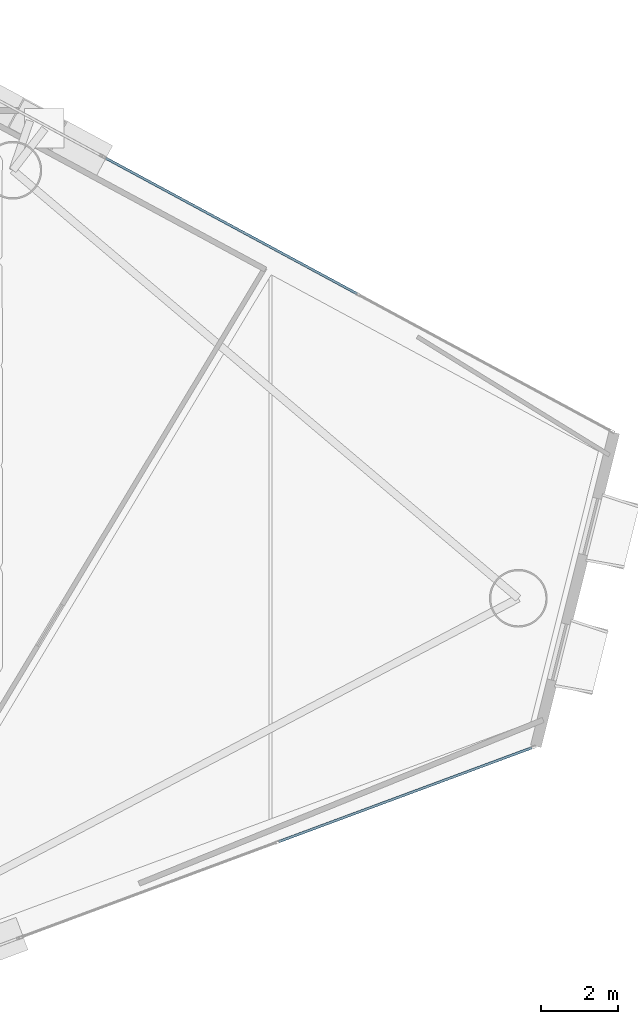
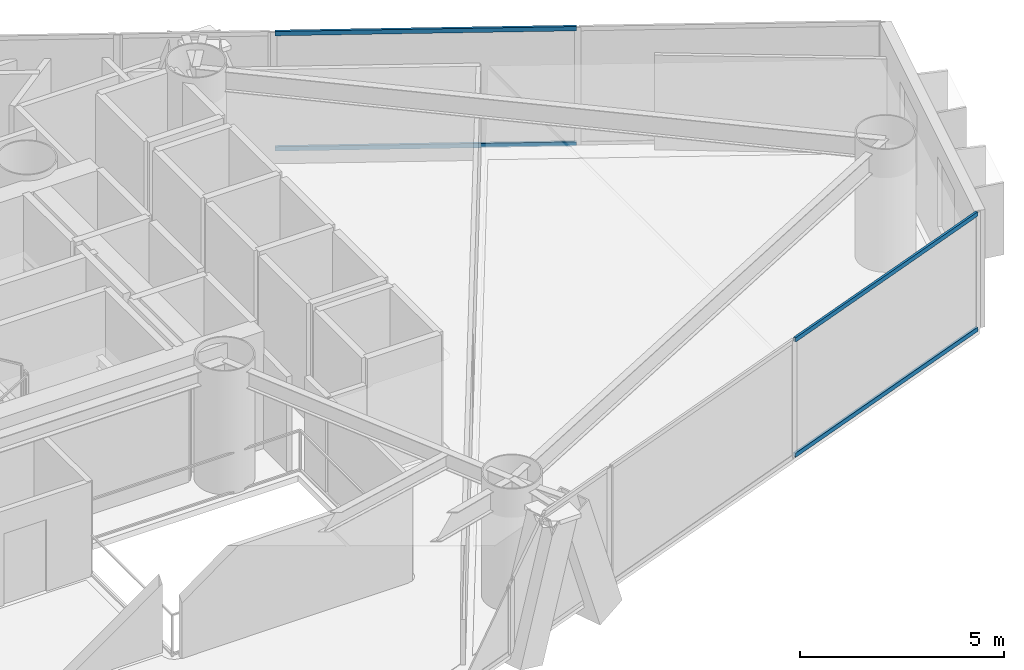
# One storey, part 12 of 21: 4 members, 2 elements without a shape of their own.
"""IFC4 building model written with IfcOpenShell, lengths in metres."""

from ifc_helpers import new_model, si_unit, direction, frame, origin, origin_2d, place, context, subcontext, project, spatial, hollow_rectangle, extrude, material, layer, layer_set, material_profile, profile_set, type_object, element, aggregate, save


model = new_model("IFC4")

# Units and contexts
model_context = context("Model", 3, precision=1e-05, world=origin(), true_north=direction((0.0, 1.0)))
body_context = subcontext(model_context, "Body", "Model", "MODEL_VIEW")
ifc_project = project(units=[si_unit("LENGTHUNIT", "METRE"), si_unit("AREAUNIT", "SQUARE_METRE"), si_unit("VOLUMEUNIT", "CUBIC_METRE"), si_unit("PLANEANGLEUNIT", "RADIAN"), si_unit("MASSUNIT", "GRAM", prefix="KILO")], contexts=[model_context])

# Site, building, storey
site_placement = place(None, origin())
site = spatial("IfcSite", under=ifc_project, at=site_placement, CompositionType="ELEMENT")
building_placement = place(site_placement, origin())
building = spatial("IfcBuilding", under=site, at=building_placement, Name="Qianvela Tower", CompositionType="ELEMENT")
storey_placement = place(building_placement, frame((0.0, 0.0, 127.39990234375)))
storey = spatial("IfcBuildingStorey", under=building, at=storey_placement, Name="L32", CompositionType="ELEMENT", Elevation=127.39990234375)

# Curtain wall, members
ifc_material_1 = material(Name="Anodised Architectural Aluminium and Low-E Glass", Category="aluminium")
ifc_layer = layer(ifc_material_1, 0.169921875)
ifc_layer_set = layer_set([ifc_layer], Name="Anodised Architectural Aluminium and Low-E Glass")
curtain_wall_type = type_object("IfcCurtainWallType", Name="CW-COLIV-Z34", PredefinedType="USERDEFINED", material=ifc_layer_set)
curtain_wall_1_placement = place(storey_placement, origin())
curtain_wall_1 = element("IfcCurtainWall", 1, at=curtain_wall_1_placement, inside=storey, type_object=curtain_wall_type, Name="L32 CW-COLIV-Z34 Curtain Wall 02A", ObjectType="CURTAIN_WALL_SYSTEM", PredefinedType="USERDEFINED")
ifc_material_2 = material(Name="Anodised Architectural Aluminium 6063-T6", Category="aluminium")
ifc_material_profile = material_profile(ifc_material_2, hollow_rectangle(XDim=0.06494140625, YDim=0.1298828125, WallThickness=0.00439453125, at=origin_2d()), Name="ALU-TRAN-65x130")
ifc_profile_set = profile_set([ifc_material_profile], Name="Anodised Architectural Aluminium 6063-T6")
member_type = type_object("IfcMemberType", Name="CW-COLIV-Z34-TRAN", PredefinedType="USERDEFINED", material=ifc_profile_set)
member_1_placement = place(storey_placement, frame((53.0078125, 31.86376953125, 0.03271484375), z_axis=(-0.880036822101, 0.474905455588, 0.0), x_axis=(-0.474905455588, -0.880036822101, 0.0)))
member_1 = element("IfcMember", 2, at=member_1_placement, type_object=member_type, Name="CW-4 transom 2.1", ObjectType="TRANSOM", PredefinedType="USERDEFINED", context=body_context, shape_type="SweptSolid", body=[
    extrude(hollow_rectangle(XDim=0.06494140625, YDim=0.1298828125, WallThickness=0.00439453125, at=origin_2d()), origin(), (0.0, 0.0, 1.0), 7.407470703125),
])
member_2_placement = place(storey_placement, frame((53.0078125, 31.86376953125, 3.487548828125), z_axis=(-0.880036822101, 0.474905455588, 0.0), x_axis=(-0.474905455588, -0.880036822101, 0.0)))
member_2 = element("IfcMember", 3, at=member_2_placement, type_object=member_type, Name="CW-4 transom 2.2", ObjectType="TRANSOM", PredefinedType="USERDEFINED", context=body_context, shape_type="SweptSolid", body=[
    extrude(hollow_rectangle(XDim=0.06494140625, YDim=0.1298828125, WallThickness=0.00439453125, at=origin_2d()), origin(), (0.0, 0.0, 1.0), 7.407470703125),
])
aggregate(curtain_wall_1, [member_1, member_2])

curtain_wall_2_placement = place(storey_placement, origin())
curtain_wall_2 = element("IfcCurtainWall", 4, at=curtain_wall_2_placement, inside=storey, type_object=curtain_wall_type, Name="L32 CW-COLIV-Z34 Curtain Wall 06C", ObjectType="CURTAIN_WALL_SYSTEM", PredefinedType="USERDEFINED")
member_3_placement = place(storey_placement, frame((50.97314453125, 17.638916015625, 0.03271484375), z_axis=(0.937567501086, 0.347803365291, 0.0), x_axis=(-0.347803365291, 0.937567501086, 0.0)))
member_3 = element("IfcMember", 5, at=member_3_placement, type_object=member_type, Name="CW-4 transom 2.1", ObjectType="TRANSOM", PredefinedType="USERDEFINED", context=body_context, shape_type="SweptSolid", body=[
    extrude(hollow_rectangle(XDim=0.06494140625, YDim=0.1298828125, WallThickness=0.00439453125, at=origin_2d()), origin(), (0.0, 0.0, 1.0), 7.007568359375),
])
member_4_placement = place(storey_placement, frame((50.97314453125, 17.638916015625, 3.487548828125), z_axis=(0.937567501086, 0.347803365291, 0.0), x_axis=(-0.347803365291, 0.937567501086, 0.0)))
member_4 = element("IfcMember", 6, at=member_4_placement, type_object=member_type, Name="CW-4 transom 2.2", ObjectType="TRANSOM", PredefinedType="USERDEFINED", context=body_context, shape_type="SweptSolid", body=[
    extrude(hollow_rectangle(XDim=0.06494140625, YDim=0.1298828125, WallThickness=0.00439453125, at=origin_2d()), origin(), (0.0, 0.0, 1.0), 7.007568359375),
])
aggregate(curtain_wall_2, [member_3, member_4])

save(model, "model.ifc")
